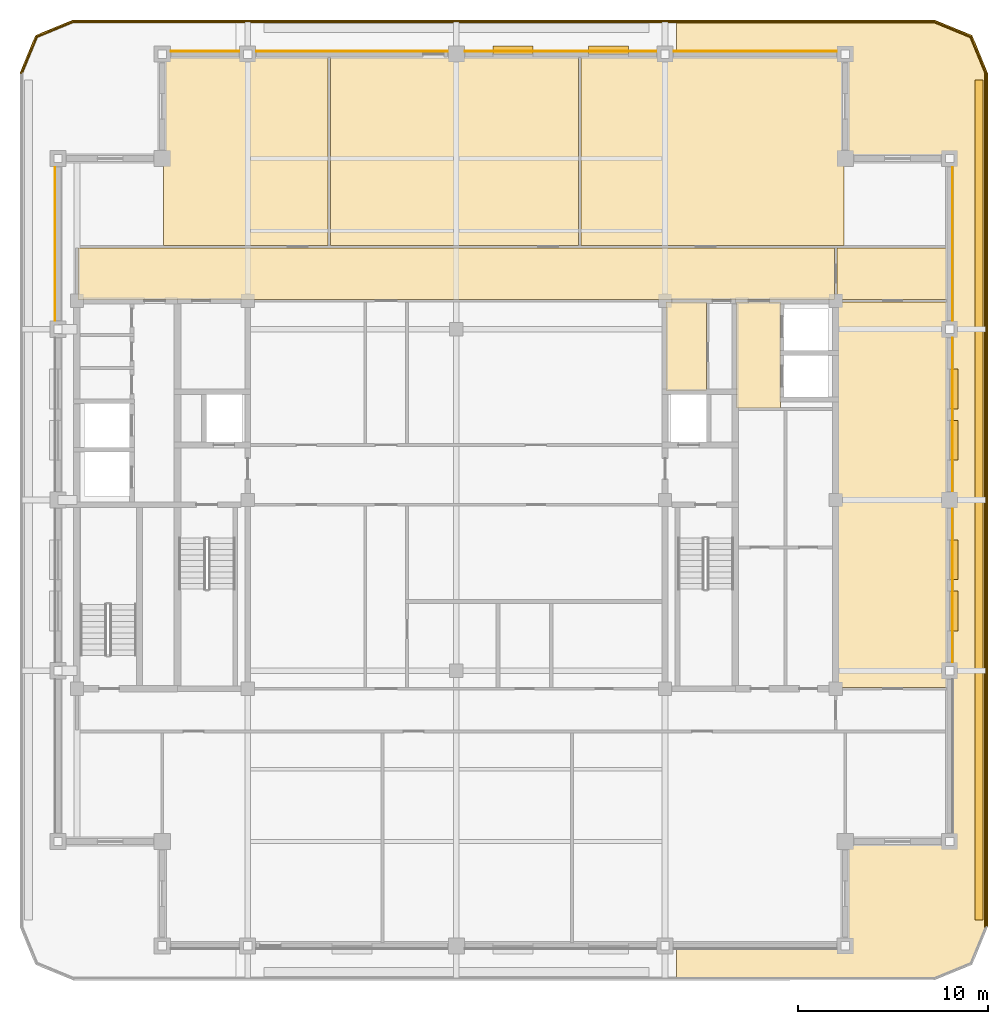
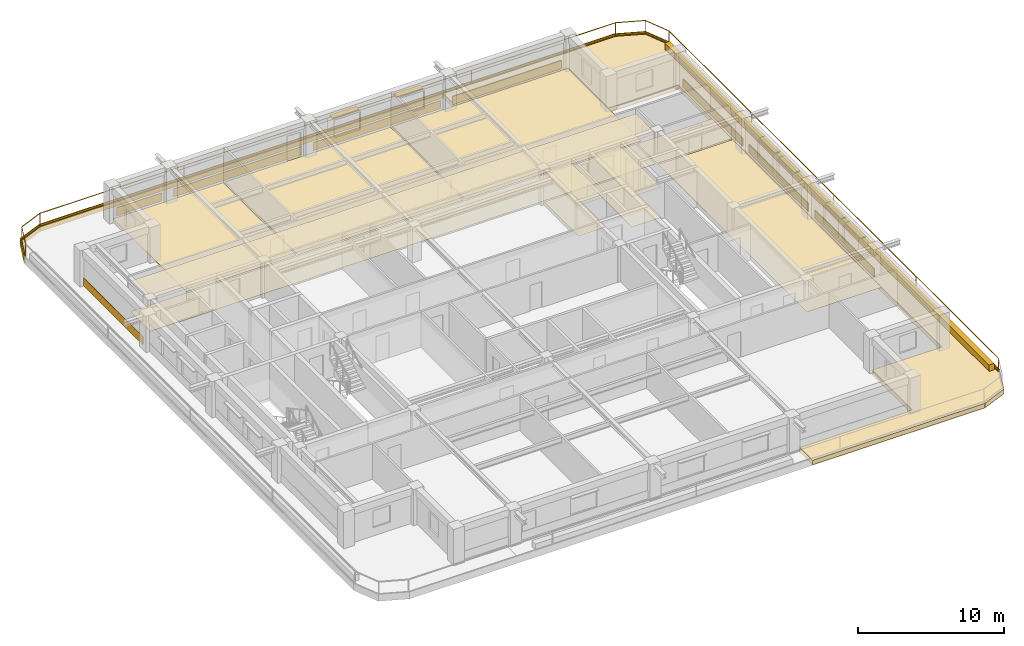
# One storey, part 11 of 11: 27 coverings, 6 shading devices, 2 railings.
"""IFC4 building model written with IfcOpenShell, lengths in metres."""

from ifc_helpers import new_model, si_unit, direction, frame, frame_2d, origin, origin_2d, place, context, subcontext, project, spatial, polyline, rectangle, outline, extrude, material, layer, layer_set, type_object, element, save


model = new_model("IFC4")

# Units and contexts
model_context = context("Model", 3, precision=1e-05, world=origin(), true_north=direction((0.0, 1.0)))
body_context = subcontext(model_context, "Body", "Model", "MODEL_VIEW")
ifc_project = project(units=[si_unit("LENGTHUNIT", "METRE"), si_unit("AREAUNIT", "SQUARE_METRE"), si_unit("VOLUMEUNIT", "CUBIC_METRE"), si_unit("PLANEANGLEUNIT", "RADIAN"), si_unit("MASSUNIT", "GRAM", prefix="KILO")], contexts=[model_context])

# Site, building, storey
site_placement = place(None, origin())
site = spatial("IfcSite", under=ifc_project, at=site_placement, CompositionType="ELEMENT")
building_placement = place(site_placement, origin())
building = spatial("IfcBuilding", under=site, at=building_placement, Name="Zulmaris Gate Convention Tower", CompositionType="ELEMENT")
storey_placement = place(building_placement, frame((0.0, 0.0, 230.050048828125)))
storey = spatial("IfcBuildingStorey", under=building, at=storey_placement, Name="L60", CompositionType="ELEMENT", Elevation=230.050048828125)

# Coverings
ifc_material_1 = material(Name="Precast concrete C40/50", Category="concrete")
ifc_layer_1 = layer(ifc_material_1, 0.0400390625, Name="Precast concrete C40/50")
ifc_layer_set_1 = layer_set([ifc_layer_1], Name="Precast concrete C40/50")
covering_type_1 = type_object("IfcCoveringType", Name="CLAD-SPANDREL-PRECAST", PredefinedType="CLADDING", material=ifc_layer_set_1)
covering_1_placement = place(storey_placement, frame((-11.455078125, 23.64990234375, 0.0), z_axis=(0.0, 0.0, 1.0), x_axis=(-1.0, 0.0, 0.0)))
element("IfcCovering", 1, at=covering_1_placement, inside=storey, type_object=covering_type_1, Name="CLD-L60-N-0_0", PredefinedType="CLADDING", context=body_context, shape_type="SweptSolid", body=[
    extrude(rectangle(XDim=3.58984375, YDim=0.0400390625, at=frame_2d((1.794921875, 0.0))), origin(), (0.0, 0.0, 1.0), 0.679931640625),
])
for number, where, z_axis, x_axis, name in (
    (2, (-0.455078125, 23.64990234375, 0.0), (0.0, 0.0, 1.0), (-1.0, 0.0, 0.0), "CLD-L60-N-1_0"),
    (3, (10.544921875, 23.64990234375, 0.0), (0.0, 0.0, 1.0), (-1.0, 0.0, 0.0), "CLD-L60-N-2_0"),
):
    element("IfcCovering", number, at=place(storey_placement, frame(where, z_axis=z_axis, x_axis=x_axis)), inside=storey, type_object=covering_type_1, Name=name, PredefinedType="CLADDING", context=body_context, shape_type="SweptSolid", body=[
        extrude(rectangle(XDim=10.08984375, YDim=0.0400390625, at=frame_2d((5.044921875, 0.0))), origin(), (0.0, 0.0, 1.0), 0.679931640625),
    ])
covering_2_placement = place(storey_placement, frame((20.044921875, 23.64990234375, 0.0), z_axis=(0.0, 0.0, 1.0), x_axis=(-1.0, 0.0, 0.0)))
element("IfcCovering", 4, at=covering_2_placement, inside=storey, type_object=covering_type_1, Name="CLD-L60-N-3_0", PredefinedType="CLADDING", context=body_context, shape_type="SweptSolid", body=[
    extrude(rectangle(XDim=8.58984375, YDim=0.0400390625, at=frame_2d((4.294921875, 0.0))), origin(), (0.0, 0.0, 1.0), 0.679931640625),
])
for number, where, z_axis, x_axis, name in (
    (5, (26.14990234375, -8.544921875, 0.0), (0.0, 0.0, 1.0), (0.0, 1.0, 0.0), "CLD-L60-E-1_0"),
    (6, (26.14990234375, 0.455078125, 0.0), (0.0, 0.0, 1.0), (0.0, 1.0, 0.0), "CLD-L60-E-2_0"),
    (7, (26.14990234375, 9.455078125, 0.0), (0.0, 0.0, 1.0), (0.0, 1.0, 0.0), "CLD-L60-E-3_0"),
    (8, (-21.14990234375, 17.544921875, 0.0), (0.0, 0.0, 1.0), (0.0, -1.0, 0.0), "CLD-L60-W-3_0"),
):
    element("IfcCovering", number, at=place(storey_placement, frame(where, z_axis=z_axis, x_axis=x_axis)), inside=storey, type_object=covering_type_1, Name=name, PredefinedType="CLADDING", context=body_context, shape_type="SweptSolid", body=[
        extrude(rectangle(XDim=8.08984375, YDim=0.0400390625, at=frame_2d((4.044921875, 0.0))), origin(), (0.0, 0.0, 1.0), 0.679931640625),
    ])
ifc_material_2 = material(Name="White Glazed Architectural Precast Concrete C40/50", Category="concrete")
ifc_layer_2 = layer(ifc_material_2, 0.239990234375, Name="White Glazed Architectural Precast Concrete C40/50")
ifc_layer_set_2 = layer_set([ifc_layer_2], Name="White Glazed Architectural Precast Concrete C40/50")
covering_type_2 = type_object("IfcCoveringType", Name="CLAD-TRAY-DECK", PredefinedType="CLADDING", material=ifc_layer_set_2)
covering_3_placement = place(storey_placement, frame((0.0, 0.0, -0.425048828125)))
element("IfcCovering", 9, at=covering_3_placement, inside=storey, type_object=covering_type_2, Name="L60 East Rounded-Fascia Planter Tray Deck", PredefinedType="CLADDING", context=body_context, shape_type="SweptSolid", body=[
    extrude(outline(polyline([(25.199951171875, 25.300048828125), (27.179931640625, 24.47998046875), (28.0, 22.5), (28.0, -22.5), (27.179931640625, -24.47998046875), (25.199951171875, -25.300048828125), (11.60205078125, -25.300048828125), (11.60205078125, -23.5), (20.5, -23.5), (20.5, -18.0), (26.0, -18.0), (26.0, 18.0), (20.5, 18.0), (20.5, 23.5), (11.60205078125, 23.5), (11.60205078125, 25.300048828125), (25.199951171875, 25.300048828125)])), origin(), (0.0, 0.0, 1.0), 0.385009765625),
])
ifc_layer_3 = layer(ifc_material_2, 0.080078125, Name="White Glazed Architectural Precast Concrete C40/50")
ifc_layer_set_3 = layer_set([ifc_layer_3], Name="White Glazed Architectural Precast Concrete C40/50")
covering_type_3 = type_object("IfcCoveringType", Name="CLAD-TRAY-FASCIA", PredefinedType="CLADDING", material=ifc_layer_set_3)
covering_4_placement = place(storey_placement, frame((27.9599609375, -22.5, -0.465087890625), z_axis=(0.0, 0.0, 1.0), x_axis=(0.0, 1.0, 0.0)))
element("IfcCovering", 10, at=covering_4_placement, inside=storey, type_object=covering_type_3, Name="FSC-L60-TR-05", PredefinedType="CLADDING", context=body_context, shape_type="SweptSolid", body=[
    extrude(rectangle(XDim=45.0, YDim=0.080078125, at=frame_2d((22.5, 0.0))), origin(), (0.0, 0.0, 1.0), 0.5849609375),
])
covering_5_placement = place(storey_placement, frame((27.962890625, 22.484619140625, -0.465087890625), z_axis=(0.0, 0.0, 1.0), x_axis=(-0.382656984709, 0.923890487046, 0.0)))
element("IfcCovering", 11, at=covering_5_placement, inside=storey, type_object=covering_type_3, Name="FSC-L60-TR-06", PredefinedType="CLADDING", context=body_context, shape_type="SweptSolid", body=[
    extrude(rectangle(XDim=2.14306640625, YDim=0.080078125, at=frame_2d((1.071533203125, 0.0))), origin(), (0.0, 0.0, 1.0), 0.5849609375),
])
covering_6_placement = place(storey_placement, frame((27.16455078125, 24.44287109375, -0.465087890625), z_axis=(0.0, 0.0, 1.0), x_axis=(-0.923873803533, 0.382697263049, 0.0)))
element("IfcCovering", 12, at=covering_6_placement, inside=storey, type_object=covering_type_3, Name="FSC-L60-TR-07", PredefinedType="CLADDING", context=body_context, shape_type="SweptSolid", body=[
    extrude(rectangle(XDim=2.142822265625, YDim=0.080078125, at=frame_2d((1.0712890625, 0.0))), origin(), (0.0, 0.0, 1.0), 0.5849609375),
])
covering_7_placement = place(storey_placement, frame((25.199951171875, 25.260009765625, -0.465087890625), z_axis=(0.0, 0.0, 1.0), x_axis=(-1.0, 0.0, 0.0)))
element("IfcCovering", 13, at=covering_7_placement, inside=storey, type_object=covering_type_3, Name="FSC-L60-TR-08", PredefinedType="CLADDING", context=body_context, shape_type="SweptSolid", body=[
    extrude(rectangle(XDim=45.39990234375, YDim=0.080078125, at=frame_2d((22.699951171875, 0.0))), origin(), (0.0, 0.0, 1.0), 0.5849609375),
])
covering_8_placement = place(storey_placement, frame((-20.184814453125, 25.262939453125, -0.465087890625), z_axis=(0.0, 0.0, 1.0), x_axis=(-0.923873803533, -0.382697263049, 0.0)))
element("IfcCovering", 14, at=covering_8_placement, inside=storey, type_object=covering_type_3, Name="FSC-L60-TR-09", PredefinedType="CLADDING", context=body_context, shape_type="SweptSolid", body=[
    extrude(rectangle(XDim=2.142822265625, YDim=0.080078125, at=frame_2d((1.0712890625, 0.0))), origin(), (0.0, 0.0, 1.0), 0.5849609375),
])
covering_9_placement = place(storey_placement, frame((-22.142822265625, 24.464599609375, -0.465087890625), z_axis=(0.0, 0.0, 1.0), x_axis=(-0.382656984709, -0.923890487046, 0.0)))
element("IfcCovering", 15, at=covering_9_placement, inside=storey, type_object=covering_type_3, Name="FSC-L60-TR-10", PredefinedType="CLADDING", context=body_context, shape_type="SweptSolid", body=[
    extrude(rectangle(XDim=2.14306640625, YDim=0.080078125, at=frame_2d((1.071533203125, 0.0))), origin(), (0.0, 0.0, 1.0), 0.5849609375),
])
ifc_material_3 = material(Name="Mineral Fibre Acoustic Ceiling Tile")
ifc_layer_4 = layer(ifc_material_3, 0.02001953125, Name="Mineral Fibre Acoustic Ceiling Tile")
ifc_layer_set_4 = layer_set([ifc_layer_4], Name="Mineral Fibre Acoustic Ceiling Tile")
covering_type_4 = type_object("IfcCoveringType", Name="CLG-ACOUSTIC-600", PredefinedType="CEILING", material=ifc_layer_set_4)
covering_10_placement = place(storey_placement, frame((0.0, 0.0, 2.537841796875)))
element("IfcCovering", 16, at=covering_10_placement, inside=storey, type_object=covering_type_4, Name="CLG-L60-R12", PredefinedType="CEILING", context=body_context, shape_type="SweptSolid", body=[
    extrude(outline(polyline([(11.06005859375, 5.760009765625), (13.18994140625, 5.760009765625), (13.18994140625, 10.43994140625), (11.06005859375, 10.43994140625), (11.06005859375, 5.760009765625)])), origin(), (0.0, 0.0, 1.0), 0.02001953125),
])
covering_11_placement = place(storey_placement, frame((0.0, 0.0, 2.537841796875)))
element("IfcCovering", 17, at=covering_11_placement, inside=storey, type_object=covering_type_4, Name="CLG-L60-R24", PredefinedType="CEILING", context=body_context, shape_type="SweptSolid", body=[
    extrude(outline(polyline([(14.760009765625, 4.860107421875), (17.090087890625, 4.860107421875), (17.090087890625, 10.43994140625), (14.760009765625, 10.43994140625), (14.760009765625, 4.860107421875)])), origin(), (0.0, 0.0, 1.0), 0.02001953125),
])
covering_12_placement = place(storey_placement, frame((0.0, 0.0, 2.537841796875)))
element("IfcCovering", 18, at=covering_12_placement, inside=storey, type_object=covering_type_4, Name="CLG-L60-R31", PredefinedType="CEILING", context=body_context, shape_type="SweptSolid", body=[
    extrude(outline(polyline([(-19.93994140625, 10.56005859375), (19.93994140625, 10.56005859375), (19.93994140625, 13.2900390625), (-19.93994140625, 13.2900390625), (-19.93994140625, 10.56005859375)])), origin(), (0.0, 0.0, 1.0), 0.02001953125),
])
ifc_material_4 = material(Name="Woven Acoustic Wool Carpet Tile")
ifc_layer_5 = layer(ifc_material_4, 0.02001953125, Name="Woven Acoustic Wool Carpet Tile")
ifc_layer_set_5 = layer_set([ifc_layer_5], Name="Woven Acoustic Wool Carpet Tile")
covering_type_5 = type_object("IfcCoveringType", Name="FLR-CARPET-12", PredefinedType="FLOORING", material=ifc_layer_set_5)
covering_13_placement = place(storey_placement, origin())
element("IfcCovering", 19, at=covering_13_placement, inside=storey, type_object=covering_type_5, Name="FLR-L60-R12", PredefinedType="FLOORING", context=body_context, shape_type="SweptSolid", body=[
    extrude(outline(polyline([(11.06005859375, 5.760009765625), (13.18994140625, 5.760009765625), (13.18994140625, 10.43994140625), (11.06005859375, 10.43994140625), (11.06005859375, 5.760009765625)])), origin(), (0.0, 0.0, 1.0), 0.02001953125),
])
covering_14_placement = place(storey_placement, origin())
element("IfcCovering", 20, at=covering_14_placement, inside=storey, type_object=covering_type_5, Name="FLR-L60-R24", PredefinedType="FLOORING", context=body_context, shape_type="SweptSolid", body=[
    extrude(outline(polyline([(14.760009765625, 4.860107421875), (17.090087890625, 4.860107421875), (17.090087890625, 10.43994140625), (14.760009765625, 10.43994140625), (14.760009765625, 4.860107421875)])), origin(), (0.0, 0.0, 1.0), 0.02001953125),
])
covering_15_placement = place(storey_placement, origin())
element("IfcCovering", 21, at=covering_15_placement, inside=storey, type_object=covering_type_5, Name="FLR-L60-R31", PredefinedType="FLOORING", context=body_context, shape_type="SweptSolid", body=[
    extrude(outline(polyline([(-19.93994140625, 10.56005859375), (19.93994140625, 10.56005859375), (19.93994140625, 13.2900390625), (-19.93994140625, 13.2900390625), (-19.93994140625, 10.56005859375)])), origin(), (0.0, 0.0, 1.0), 0.02001953125),
])
covering_16_placement = place(storey_placement, origin())
element("IfcCovering", 22, at=covering_16_placement, inside=storey, type_object=covering_type_5, Name="FLR-L60-R36", PredefinedType="FLOORING", context=body_context, shape_type="SweptSolid", body=[
    extrude(outline(polyline([(-15.43994140625, 13.409912109375), (-6.760009765625, 13.409912109375), (-6.760009765625, 23.43994140625), (-15.43994140625, 23.43994140625), (-15.43994140625, 13.409912109375)])), origin(), (0.0, 0.0, 1.0), 0.02001953125),
])
covering_17_placement = place(storey_placement, origin())
element("IfcCovering", 23, at=covering_17_placement, inside=storey, type_object=covering_type_5, Name="FLR-L60-R37", PredefinedType="FLOORING", context=body_context, shape_type="SweptSolid", body=[
    extrude(outline(polyline([(-6.639892578125, 13.409912109375), (6.43994140625, 13.409912109375), (6.43994140625, 23.43994140625), (-6.639892578125, 23.43994140625), (-6.639892578125, 13.409912109375)])), origin(), (0.0, 0.0, 1.0), 0.02001953125),
])
covering_18_placement = place(storey_placement, origin())
element("IfcCovering", 24, at=covering_18_placement, inside=storey, type_object=covering_type_5, Name="FLR-L60-R38", PredefinedType="FLOORING", context=body_context, shape_type="SweptSolid", body=[
    extrude(outline(polyline([(6.56005859375, 13.409912109375), (20.43994140625, 13.409912109375), (20.43994140625, 23.43994140625), (6.56005859375, 23.43994140625), (6.56005859375, 13.409912109375)])), origin(), (0.0, 0.0, 1.0), 0.02001953125),
])
covering_19_placement = place(storey_placement, origin())
element("IfcCovering", 25, at=covering_19_placement, inside=storey, type_object=covering_type_5, Name="FLR-L60-R49", PredefinedType="FLOORING", context=body_context, shape_type="SweptSolid", body=[
    extrude(outline(polyline([(20.06005859375, 10.56005859375), (25.93994140625, 10.56005859375), (25.93994140625, 13.2900390625), (20.06005859375, 13.2900390625), (20.06005859375, 10.56005859375)])), origin(), (0.0, 0.0, 1.0), 0.02001953125),
])
covering_20_placement = place(storey_placement, origin())
element("IfcCovering", 26, at=covering_20_placement, inside=storey, type_object=covering_type_5, Name="FLR-L60-R51", PredefinedType="FLOORING", context=body_context, shape_type="SweptSolid", body=[
    extrude(outline(polyline([(20.06005859375, -9.889892578125), (25.93994140625, -9.889892578125), (25.93994140625, 10.43994140625), (20.06005859375, 10.43994140625), (20.06005859375, -9.889892578125)])), origin(), (0.0, 0.0, 1.0), 0.02001953125),
])
ifc_material_5 = material(Name="Botanical Green Glazed Precast Concrete C40/50", Category="concrete")
ifc_layer_6 = layer(ifc_material_5, 0.419921875, Name="Botanical Green Glazed Precast Concrete C40/50")
ifc_layer_set_6 = layer_set([ifc_layer_6], Name="Botanical Green Glazed Precast Concrete C40/50")
covering_type_6 = type_object("IfcCoveringType", Name="PLANTER-BOX-200", PredefinedType="CLADDING", material=ifc_layer_set_6)
covering_21_placement = place(storey_placement, frame((0.0, 0.0, -0.0400390625)))
element("IfcCovering", 27, at=covering_21_placement, inside=storey, type_object=covering_type_6, Name="L60 E Full-Length Balcony Tree Planter Trough", PredefinedType="CLADDING", context=body_context, shape_type="SweptSolid", body=[
    extrude(outline(polyline([(27.340087890625, -22.14990234375), (27.760009765625, -22.14990234375), (27.760009765625, 22.14990234375), (27.340087890625, 22.14990234375), (27.340087890625, -22.14990234375)])), origin(), (0.0, 0.0, 1.0), 0.52001953125),
])

# Railings
ifc_material_6 = material(Name="Laminated Glass and Stainless Steel", Category="steel")
railing_type = type_object("IfcRailingType", Name="RL-BALC-1150", PredefinedType="BALUSTRADE", material=ifc_material_6)
railing_1_placement = place(storey_placement, frame((27.8798828125, -22.5, -0.0400390625)))
element("IfcRailing", 28, at=railing_1_placement, inside=storey, type_object=railing_type, Name="RL-L60-BALC-E", PredefinedType="BALUSTRADE", context=body_context, shape_type="SweptSolid", body=[
    extrude(rectangle(XDim=0.048095703125, YDim=0.048095703125, at=origin_2d()), frame((0.0, 0.0, 1.1259765625), z_axis=(0.0, 1.0, 0.0), x_axis=(-1.0, 0.0, 0.0)), (0.0, 0.0, 1.0), 45.0),
    extrude(rectangle(XDim=0.048095703125, YDim=0.048095703125, at=origin_2d()), frame((0.0, 0.0, 0.02392578125), z_axis=(0.0, 1.0, 0.0), x_axis=(-1.0, 0.0, 0.0)), (0.0, 0.0, 1.0), 45.0),
    extrude(rectangle(XDim=0.0419921875, YDim=0.0419921875, at=origin_2d()), origin(), (0.0, 0.0, 1.0), 1.101806640625),
    extrude(rectangle(XDim=0.0419921875, YDim=0.0419921875, at=origin_2d()), frame((0.0, 11.25, 0.0)), (0.0, 0.0, 1.0), 1.101806640625),
    extrude(rectangle(XDim=0.0419921875, YDim=0.0419921875, at=origin_2d()), frame((0.0, 22.5, 0.0)), (0.0, 0.0, 1.0), 1.101806640625),
    extrude(rectangle(XDim=0.0419921875, YDim=0.0419921875, at=origin_2d()), frame((0.0, 33.75, 0.0)), (0.0, 0.0, 1.0), 1.101806640625),
    extrude(rectangle(XDim=0.0419921875, YDim=0.0419921875, at=origin_2d()), frame((0.0, 45.0, 0.0)), (0.0, 0.0, 1.0), 1.101806640625),
])
railing_2_placement = place(storey_placement, frame((27.8798828125, 22.5, -0.0400390625)))
element("IfcRailing", 29, at=railing_2_placement, inside=storey, type_object=railing_type, Name="RL-L60-BALC-N", PredefinedType="BALUSTRADE", context=body_context, shape_type="SweptSolid", body=[
    extrude(rectangle(XDim=0.048095703125, YDim=0.048095703125, at=origin_2d()), frame((0.0, 0.0, 1.1259765625), z_axis=(-0.382670664694, 0.92388482095, 0.0), x_axis=(-0.92388482095, -0.382670664694, 0.0)), (0.0, 0.0, 1.0), 2.051025390625),
    extrude(rectangle(XDim=0.048095703125, YDim=0.048095703125, at=origin_2d()), frame((0.0, 0.0, 0.02392578125), z_axis=(-0.382670664694, 0.92388482095, 0.0), x_axis=(-0.92388482095, -0.382670664694, 0.0)), (0.0, 0.0, 1.0), 2.051025390625),
    extrude(rectangle(XDim=0.048095703125, YDim=0.048095703125, at=origin_2d()), frame((-0.784912109375, 1.89501953125, 1.1259765625), z_axis=(-0.92388482095, 0.382670664694, 0.0), x_axis=(-0.382670664694, -0.92388482095, 0.0)), (0.0, 0.0, 1.0), 2.051025390625),
    extrude(rectangle(XDim=0.048095703125, YDim=0.048095703125, at=origin_2d()), frame((-0.784912109375, 1.89501953125, 0.02392578125), z_axis=(-0.92388482095, 0.382670664694, 0.0), x_axis=(-0.382670664694, -0.92388482095, 0.0)), (0.0, 0.0, 1.0), 2.051025390625),
    extrude(rectangle(XDim=0.048095703125, YDim=0.048095703125, at=origin_2d()), frame((-2.679931640625, 2.679931640625, 1.1259765625), z_axis=(-1.0, 0.0, 0.0), x_axis=(0.0, -1.0, 0.0)), (0.0, 0.0, 1.0), 45.39990234375),
    extrude(rectangle(XDim=0.048095703125, YDim=0.048095703125, at=origin_2d()), frame((-2.679931640625, 2.679931640625, 0.02392578125), z_axis=(-1.0, 0.0, 0.0), x_axis=(0.0, -1.0, 0.0)), (0.0, 0.0, 1.0), 45.39990234375),
    extrude(rectangle(XDim=0.048095703125, YDim=0.048095703125, at=origin_2d()), frame((-48.079833984375, 2.679931640625, 1.1259765625), z_axis=(-0.92388482095, -0.382670664694, 0.0), x_axis=(0.382670664694, -0.92388482095, 0.0)), (0.0, 0.0, 1.0), 2.051025390625),
    extrude(rectangle(XDim=0.048095703125, YDim=0.048095703125, at=origin_2d()), frame((-48.079833984375, 2.679931640625, 0.02392578125), z_axis=(-0.92388482095, -0.382670664694, 0.0), x_axis=(0.382670664694, -0.92388482095, 0.0)), (0.0, 0.0, 1.0), 2.051025390625),
    extrude(rectangle(XDim=0.048095703125, YDim=0.048095703125, at=origin_2d()), frame((-49.974853515625, 1.89501953125, 1.1259765625), z_axis=(-0.382670664694, -0.92388482095, 0.0), x_axis=(0.92388482095, -0.382670664694, 0.0)), (0.0, 0.0, 1.0), 2.051025390625),
    extrude(rectangle(XDim=0.048095703125, YDim=0.048095703125, at=origin_2d()), frame((-49.974853515625, 1.89501953125, 0.02392578125), z_axis=(-0.382670664694, -0.92388482095, 0.0), x_axis=(0.92388482095, -0.382670664694, 0.0)), (0.0, 0.0, 1.0), 2.051025390625),
    extrude(rectangle(XDim=0.0419921875, YDim=0.0419921875, at=origin_2d()), origin(), (0.0, 0.0, 1.0), 1.101806640625),
    extrude(rectangle(XDim=0.0419921875, YDim=0.0419921875, at=origin_2d()), frame((-0.784912109375, 1.89501953125, 0.0)), (0.0, 0.0, 1.0), 1.101806640625),
    extrude(rectangle(XDim=0.0419921875, YDim=0.0419921875, at=origin_2d()), frame((-2.679931640625, 2.679931640625, 0.0)), (0.0, 0.0, 1.0), 1.101806640625),
    extrude(rectangle(XDim=0.0419921875, YDim=0.0419921875, at=origin_2d()), frame((-14.02978515625, 2.679931640625, 0.0)), (0.0, 0.0, 1.0), 1.101806640625),
    extrude(rectangle(XDim=0.0419921875, YDim=0.0419921875, at=origin_2d()), frame((-25.3798828125, 2.679931640625, 0.0)), (0.0, 0.0, 1.0), 1.101806640625),
    extrude(rectangle(XDim=0.0419921875, YDim=0.0419921875, at=origin_2d()), frame((-36.72998046875, 2.679931640625, 0.0)), (0.0, 0.0, 1.0), 1.101806640625),
    extrude(rectangle(XDim=0.0419921875, YDim=0.0419921875, at=origin_2d()), frame((-48.079833984375, 2.679931640625, 0.0)), (0.0, 0.0, 1.0), 1.101806640625),
    extrude(rectangle(XDim=0.0419921875, YDim=0.0419921875, at=origin_2d()), frame((-49.974853515625, 1.89501953125, 0.0)), (0.0, 0.0, 1.0), 1.101806640625),
    extrude(rectangle(XDim=0.0419921875, YDim=0.0419921875, at=origin_2d()), frame((-50.759765625, 0.0, 0.0)), (0.0, 0.0, 1.0), 1.101806640625),
])

# Shading devices
ifc_material_7 = material(Name="Glazed Ceramic Terracotta", Category="masonry")
ifc_layer_7 = layer(ifc_material_7, 0.070068359375, Name="Glazed Ceramic Terracotta")
ifc_layer_set_7 = layer_set([ifc_layer_7], Name="Glazed Ceramic Terracotta")
shading_device_type = type_object("IfcShadingDeviceType", Name="SHD-SUNSHADE-TC", PredefinedType="AWNING", material=ifc_layer_set_7)
for number, where, z_axis, x_axis, name in (
    (30, (9.072998046875, 23.719970703125, 2.22998046875), (0.0, 0.0, 1.0), (-1.0, 0.0, 0.0), "SHD-EW-L60-N-2_0-1"),
    (31, (4.027099609375, 23.719970703125, 2.22998046875), (0.0, 0.0, 1.0), (-1.0, 0.0, 0.0), "SHD-EW-L60-N-2_0-3"),
):
    element("IfcShadingDevice", number, at=place(storey_placement, frame(where, z_axis=z_axis, x_axis=x_axis)), inside=storey, type_object=shading_device_type, Name=name, PredefinedType="AWNING", context=body_context, shape_type="SweptSolid", body=[
        extrude(rectangle(XDim=2.10009765625, YDim=0.43994140625, at=frame_2d((1.050048828125, 0.0))), origin(), (0.0, 0.0, 1.0), 0.070068359375),
    ])
for number, where, z_axis, x_axis, name in (
    (32, (26.219970703125, -6.89794921875, 2.22998046875), (0.0, 0.0, 1.0), (0.0, 1.0, 0.0), "SHD-EW-L60-E-1_0-1"),
    (33, (26.219970703125, -4.201904296875, 2.22998046875), (0.0, 0.0, 1.0), (0.0, 1.0, 0.0), "SHD-EW-L60-E-1_0-2"),
    (34, (26.219970703125, 2.10205078125, 2.22998046875), (0.0, 0.0, 1.0), (0.0, 1.0, 0.0), "SHD-EW-L60-E-2_0-1"),
    (35, (26.219970703125, 4.798095703125, 2.22998046875), (0.0, 0.0, 1.0), (0.0, 1.0, 0.0), "SHD-EW-L60-E-2_0-2"),
):
    element("IfcShadingDevice", number, at=place(storey_placement, frame(where, z_axis=z_axis, x_axis=x_axis)), inside=storey, type_object=shading_device_type, Name=name, PredefinedType="AWNING", context=body_context, shape_type="SweptSolid", body=[
        extrude(rectangle(XDim=2.099853515625, YDim=0.43994140625, at=frame_2d((1.0498046875, 0.0))), origin(), (0.0, 0.0, 1.0), 0.070068359375),
    ])

save(model, "model.ifc")
